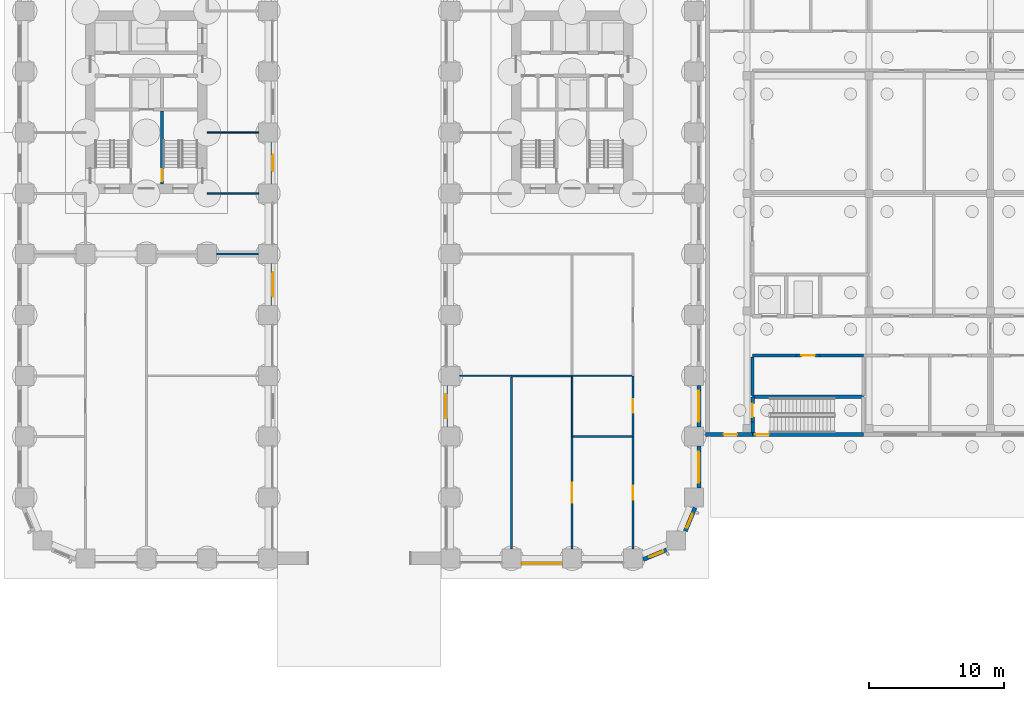
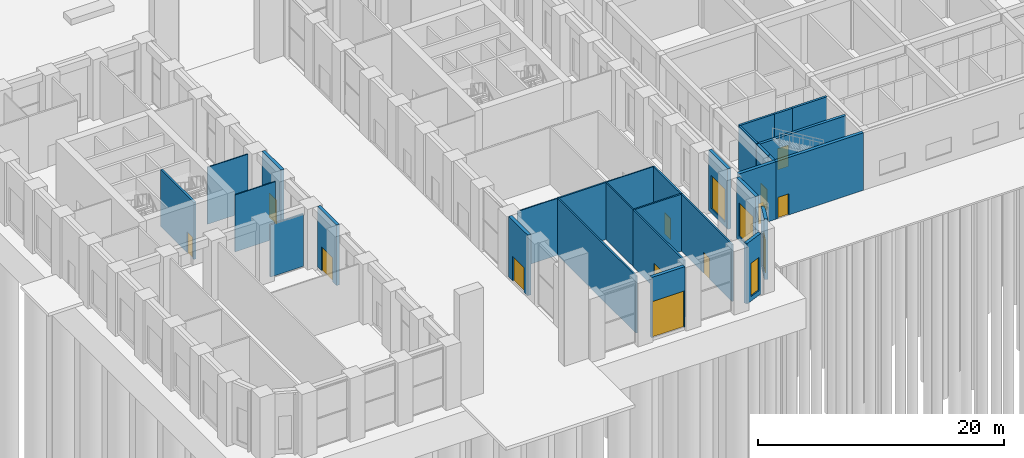
# One storey, part 15 of 31: 30 walls, 12 doors, 4 windows, 16 openings.
"""IFC4 building model written with IfcOpenShell, lengths in metres."""

from ifc_helpers import new_model, si_unit, direction, frame, frame_2d, origin, place, context, subcontext, project, spatial, rectangle, extrude, material, layer, layer_set, type_object, element, fill, save


model = new_model("IFC4")

# Units and contexts
model_context = context("Model", 3, precision=1e-05, world=origin(), true_north=direction((0.0, 1.0)))
body_context = subcontext(model_context, "Body", "Model", "MODEL_VIEW")
ifc_project = project(units=[si_unit("LENGTHUNIT", "METRE"), si_unit("AREAUNIT", "SQUARE_METRE"), si_unit("VOLUMEUNIT", "CUBIC_METRE"), si_unit("PLANEANGLEUNIT", "RADIAN"), si_unit("MASSUNIT", "GRAM", prefix="KILO")], contexts=[model_context])

# Site, building, storey
site_placement = place(None, origin())
site = spatial("IfcSite", under=ifc_project, at=site_placement, CompositionType="ELEMENT")
building_placement = place(site_placement, origin())
building = spatial("IfcBuilding", under=site, at=building_placement, Name="Girih Gate Residences", CompositionType="ELEMENT")
storey_placement = place(building_placement, origin())
storey = spatial("IfcBuildingStorey", under=building, at=storey_placement, Name="L00", CompositionType="ELEMENT", Elevation=0.0)

# Wall, opening, door
ifc_material_1 = material(Name="Gypsum board on steel studs", Category="steel")
ifc_layer_1 = layer(ifc_material_1, 0.14990234375)
ifc_layer_set_1 = layer_set([ifc_layer_1], Name="Compartment wall 150 mm")
wall_type_1 = type_object("IfcWallType", Name="Compartment wall 150 mm", PredefinedType="PARTITIONING", material=ifc_layer_set_1)
wall_1_placement = place(storey_placement, frame((40.5, 0.699951171875, 0.0), z_axis=(0.0, 0.0, 1.0), x_axis=(0.0, 1.0, 0.0)))
wall_1 = element("IfcWall", 1, at=wall_1_placement, inside=storey, type_object=wall_type_1, Name="L00 partition", PredefinedType="PARTITIONING", context=body_context, shape_type="SweptSolid", body=[
    extrude(rectangle(XDim=8.300048828125, YDim=0.14990234375, at=frame_2d((4.14990234375, 0.0))), origin(), (0.0, 0.0, 1.0), 5.64990234375),
])
opening_1_placement = place(wall_1_placement, frame((3.39990234375, 0.0, 0.0)))
opening_1 = element("IfcOpeningElement", 2, at=opening_1_placement, cuts=wall_1, Name="Opening D-L00-S-002", PredefinedType="OPENING", context=body_context, shape_type="SweptSolid", body=[
    extrude(rectangle(XDim=1.5, YDim=2.39990234375, at=frame_2d((0.75, 1.199951171875))), frame((0.0, 0.0849609375, 0.0), z_axis=(0.0, -1.0, 0.0), x_axis=(1.0, 0.0, 0.0)), (0.0, 0.0, 1.0), 0.169921875),
])
ifc_material_2 = material(Name="Painted steel, fire-resisting", Category="steel")
door_type_1 = type_object("IfcDoorType", Name="Plant room door pair 1500x2400 FD60", OperationType="DOUBLE_DOOR_SINGLE_SWING", PredefinedType="DOOR", material=ifc_material_2)
door_1_placement = place(opening_1_placement, origin())
door_1 = element("IfcDoor", 3, at=door_1_placement, inside=storey, type_object=door_type_1, Name="Door L00-002", OperationType="DOUBLE_DOOR_SINGLE_SWING", OverallHeight=2.39990234375, OverallWidth=1.5, PredefinedType="DOOR", context=body_context, shape_type="SweptSolid", body=[
    extrude(rectangle(XDim=1.5, YDim=2.39990234375, at=frame_2d((0.75, 1.199951171875))), frame((0.0, 0.02490234375, 0.0), z_axis=(0.0, -1.0, 0.0), x_axis=(1.0, 0.0, 0.0)), (0.0, 0.0, 1.0), 0.050048828125),
])
fill(opening_1, door_1)

# Wall
wall_2_placement = place(storey_placement, frame((40.574951171875, 9.0, 0.0), z_axis=(0.0, 0.0, 1.0), x_axis=(1.0, 0.0, 0.0)))
element("IfcWall", 4, at=wall_2_placement, inside=storey, type_object=wall_type_1, Name="L00 partition", PredefinedType="PARTITIONING", context=body_context, shape_type="SweptSolid", body=[
    extrude(rectangle(XDim=4.35009765625, YDim=0.14990234375, at=frame_2d((2.175048828125, 0.0))), origin(), (0.0, 0.0, 1.0), 5.64990234375),
])

# Wall, opening, door
wall_3_placement = place(storey_placement, frame((45.0, 0.699951171875, 0.0), z_axis=(0.0, 0.0, 1.0), x_axis=(0.0, 1.0, 0.0)))
wall_3 = element("IfcWall", 5, at=wall_3_placement, inside=storey, type_object=wall_type_1, Name="L00 partition", PredefinedType="PARTITIONING", context=body_context, shape_type="SweptSolid", body=[
    extrude(rectangle(XDim=8.300048828125, YDim=0.14990234375, at=frame_2d((4.14990234375, 0.0))), origin(), (0.0, 0.0, 1.0), 5.64990234375),
])
opening_2_placement = place(wall_3_placement, frame((3.64990234375, 0.0, 0.0)))
opening_2 = element("IfcOpeningElement", 6, at=opening_2_placement, cuts=wall_3, Name="Opening D-L00-S-003", PredefinedType="OPENING", context=body_context, shape_type="SweptSolid", body=[
    extrude(rectangle(XDim=1.0, YDim=2.10009765625, at=frame_2d((0.5, 1.050048828125))), frame((0.0, 0.0849609375, 0.0), z_axis=(0.0, -1.0, 0.0), x_axis=(1.0, 0.0, 0.0)), (0.0, 0.0, 1.0), 0.169921875),
])
door_type_2 = type_object("IfcDoorType", Name="Plant room door 1000x2100 FD60", OperationType="SINGLE_SWING_LEFT", PredefinedType="DOOR", material=ifc_material_2)
door_2_placement = place(opening_2_placement, origin())
door_2 = element("IfcDoor", 7, at=door_2_placement, inside=storey, type_object=door_type_2, Name="Door L00-003", OperationType="SINGLE_SWING_RIGHT", OverallHeight=2.10009765625, OverallWidth=1.0, PredefinedType="DOOR", context=body_context, shape_type="SweptSolid", body=[
    extrude(rectangle(XDim=1.0, YDim=2.10009765625, at=frame_2d((0.5, 1.050048828125))), frame((0.0, 0.02490234375, 0.0), z_axis=(0.0, -1.0, 0.0), x_axis=(1.0, 0.0, 0.0)), (0.0, 0.0, 1.0), 0.050048828125),
])
fill(opening_2, door_2)

# Walls
wall_4_placement = place(storey_placement, frame((36.0, 13.5, 0.0), z_axis=(0.0, 0.0, 1.0), x_axis=(1.0, 0.0, 0.0)))
element("IfcWall", 8, at=wall_4_placement, inside=storey, type_object=wall_type_1, Name="L00 partition", PredefinedType="PARTITIONING", context=body_context, shape_type="SweptSolid", body=[
    extrude(rectangle(XDim=4.5, YDim=0.14990234375, at=frame_2d((2.25, 0.0))), origin(), (0.0, 0.0, 1.0), 5.64990234375),
])
wall_5_placement = place(storey_placement, frame((36.0, 0.699951171875, 0.0), z_axis=(0.0, 0.0, 1.0), x_axis=(0.0, 1.0, 0.0)))
element("IfcWall", 9, at=wall_5_placement, inside=storey, type_object=wall_type_1, Name="L00 partition", PredefinedType="PARTITIONING", context=body_context, shape_type="SweptSolid", body=[
    extrude(rectangle(XDim=12.72509765625, YDim=0.14990234375, at=frame_2d((6.362548828125, 0.0))), origin(), (0.0, 0.0, 1.0), 5.64990234375),
])

# Wall, opening, door
wall_6_placement = place(storey_placement, frame((45.0, 9.0, 0.0), z_axis=(0.0, 0.0, 1.0), x_axis=(0.0, 1.0, 0.0)))
wall_6 = element("IfcWall", 10, at=wall_6_placement, inside=storey, type_object=wall_type_1, Name="L00 partition", PredefinedType="PARTITIONING", context=body_context, shape_type="SweptSolid", body=[
    extrude(rectangle(XDim=4.5, YDim=0.14990234375, at=frame_2d((2.25, 0.0))), origin(), (0.0, 0.0, 1.0), 5.64990234375),
])
opening_3_placement = place(wall_6_placement, frame((1.75, 0.0, 0.0)))
opening_3 = element("IfcOpeningElement", 11, at=opening_3_placement, cuts=wall_6, Name="Opening D-L00-S-006", PredefinedType="OPENING", context=body_context, shape_type="SweptSolid", body=[
    extrude(rectangle(XDim=1.0, YDim=2.10009765625, at=frame_2d((0.5, 1.050048828125))), frame((0.0, 0.0849609375, 0.0), z_axis=(0.0, -1.0, 0.0), x_axis=(1.0, 0.0, 0.0)), (0.0, 0.0, 1.0), 0.169921875),
])
door_3_placement = place(opening_3_placement, origin())
door_3 = element("IfcDoor", 12, at=door_3_placement, inside=storey, type_object=door_type_2, Name="Door L00-006", OperationType="SINGLE_SWING_RIGHT", OverallHeight=2.10009765625, OverallWidth=1.0, PredefinedType="DOOR", context=body_context, shape_type="SweptSolid", body=[
    extrude(rectangle(XDim=1.0, YDim=2.10009765625, at=frame_2d((0.5, 1.050048828125))), frame((0.0, 0.02490234375, 0.0), z_axis=(0.0, -1.0, 0.0), x_axis=(1.0, 0.0, 0.0)), (0.0, 0.0, 1.0), 0.050048828125),
])
fill(opening_3, door_3)

# Walls
wall_7_placement = place(storey_placement, frame((14.199951171875, 22.5, 0.0), z_axis=(0.0, 0.0, 1.0), x_axis=(1.0, 0.0, 0.0)))
element("IfcWall", 13, at=wall_7_placement, inside=storey, type_object=wall_type_1, Name="L00 partition", PredefinedType="PARTITIONING", context=body_context, shape_type="SweptSolid", body=[
    extrude(rectangle(XDim=3.10009765625, YDim=0.14990234375, at=frame_2d((1.550048828125, 0.0))), origin(), (0.0, 0.0, 1.0), 5.179931640625),
])
ifc_material_3 = material(Name="Fire-rated gypsum partition")
ifc_layer_2 = layer(ifc_material_3, 0.199951171875)
ifc_layer_set_2 = layer_set([ifc_layer_2], Name="HC Corridor wall 200 EI 60")
wall_type_2 = type_object("IfcWallType", Name="HC Corridor wall 200 EI 60", PredefinedType="PARTITIONING", material=ifc_layer_set_2)
wall_8_placement = place(storey_placement, frame((53.85009765625, 15.0, 0.0), z_axis=(0.0, 0.0, 1.0), x_axis=(1.0, 0.0, 0.0)))
element("IfcWall", 14, at=wall_8_placement, inside=storey, type_object=wall_type_2, Name="L00 wall x15.00/53.9", PredefinedType="PARTITIONING", context=body_context, shape_type="SweptSolid", body=[
    extrude(rectangle(XDim=3.25, YDim=0.199951171875, at=frame_2d((1.625, 0.0))), origin(), (0.0, 0.0, 1.0), 5.699951171875),
])

# Wall, opening, door
wall_9_placement = place(storey_placement, frame((58.800048828125, 15.0, 0.0), z_axis=(0.0, 0.0, 1.0), x_axis=(-1.0, 0.0, 0.0)))
wall_9 = element("IfcWall", 15, at=wall_9_placement, inside=storey, type_object=wall_type_2, Name="L00 wall x15.00/57.1", PredefinedType="PARTITIONING", context=body_context, shape_type="SweptSolid", body=[
    extrude(rectangle(XDim=1.699951171875, YDim=0.199951171875, at=frame_2d((0.85009765625, 0.0))), origin(), (0.0, 0.0, 1.0), 5.699951171875),
])
opening_4_placement = place(wall_9_placement, frame((0.35009765625, 0.0, 0.0)))
opening_4 = element("IfcOpeningElement", 16, at=opening_4_placement, cuts=wall_9, Name="Opening HC-L00-D09", PredefinedType="OPENING", context=body_context, shape_type="SweptSolid", body=[
    extrude(rectangle(XDim=1.0, YDim=2.10009765625, at=frame_2d((0.5, 1.050048828125))), frame((0.0, 0.10986328125, 0.0), z_axis=(0.0, -1.0, 0.0), x_axis=(1.0, 0.0, 0.0)), (0.0, 0.0, 1.0), 0.219970703125),
])
ifc_material_4 = material(Name="Timber door set", Category="wood")
door_type_3 = type_object("IfcDoorType", Name="HC Door 1000x2100 FD30S", OperationType="NOTDEFINED", PredefinedType="DOOR", material=ifc_material_4)
door_4_placement = place(opening_4_placement, origin())
door_4 = element("IfcDoor", 17, at=door_4_placement, inside=storey, type_object=door_type_3, Name="L00 Cleaners store door", OperationType="SINGLE_SWING_RIGHT", OverallHeight=2.10009765625, OverallWidth=1.0, PredefinedType="DOOR", context=body_context, shape_type="SweptSolid", body=[
    extrude(rectangle(XDim=1.0, YDim=2.10009765625, at=frame_2d((0.5, 1.050048828125))), frame((0.0, 0.02490234375, 0.0), z_axis=(0.0, -1.0, 0.0), x_axis=(1.0, 0.0, 0.0)), (0.0, 0.0, 1.0), 0.050048828125),
])
fill(opening_4, door_4)

# Walls
wall_10_placement = place(storey_placement, frame((58.800048828125, 15.0, 0.0), z_axis=(0.0, 0.0, 1.0), x_axis=(1.0, 0.0, 0.0)))
element("IfcWall", 18, at=wall_10_placement, inside=storey, type_object=wall_type_2, Name="L00 wall x15.00/58.8", PredefinedType="PARTITIONING", context=body_context, shape_type="SweptSolid", body=[
    extrude(rectangle(XDim=3.25, YDim=0.199951171875, at=frame_2d((1.625, 0.0))), origin(), (0.0, 0.0, 1.0), 5.699951171875),
])
wall_11_placement = place(storey_placement, frame((53.85009765625, 12.050048828125, 0.0), z_axis=(0.0, 0.0, 1.0), x_axis=(0.0, 1.0, 0.0)))
element("IfcWall", 19, at=wall_11_placement, inside=storey, type_object=wall_type_2, Name="L00 wall y53.85/12.1", PredefinedType="PARTITIONING", context=body_context, shape_type="SweptSolid", body=[
    extrude(rectangle(XDim=2.849853515625, YDim=0.199951171875, at=frame_2d((1.4248046875, 0.0))), origin(), (0.0, 0.0, 1.0), 5.699951171875),
])

# Wall, opening, door
ifc_material_5 = material(Name="Precast concrete C40/50", Category="concrete")
ifc_layer_3 = layer(ifc_material_5, 0.300048828125)
ifc_layer_set_3 = layer_set([ifc_layer_3], Name="HC Facade wall 300")
wall_type_3 = type_object("IfcWallType", Name="HC Facade wall 300", PredefinedType="SOLIDWALL", material=ifc_layer_set_3)
wall_12_placement = place(storey_placement, frame((53.85009765625, 9.14990234375, 0.0), z_axis=(0.0, 0.0, 1.0), x_axis=(-1.0, 0.0, 0.0)))
wall_12 = element("IfcWall", 20, at=wall_12_placement, inside=storey, type_object=wall_type_3, Name="L00 south facade wall", PredefinedType="SOLIDWALL", context=body_context, shape_type="SweptSolid", body=[
    extrude(rectangle(XDim=3.5, YDim=0.300048828125, at=frame_2d((1.75, 0.0))), origin(), (0.0, 0.0, 1.0), 5.699951171875),
])
opening_5_placement = place(wall_12_placement, frame((1.14990234375, 0.0, 0.0)))
opening_5 = element("IfcOpeningElement", 21, at=opening_5_placement, cuts=wall_12, Name="Opening HC-L00-X1", PredefinedType="OPENING", context=body_context, shape_type="SweptSolid", body=[
    extrude(rectangle(XDim=1.0, YDim=2.10009765625, at=frame_2d((0.5, 1.050048828125))), frame((0.0, 0.159912109375, 0.0), z_axis=(0.0, -1.0, 0.0), x_axis=(1.0, 0.0, 0.0)), (0.0, 0.0, 1.0), 0.320068359375),
])
ifc_material_6 = material(Name="Steel door set", Category="steel")
door_type_4 = type_object("IfcDoorType", Name="HC Exit door 1000x2100", OperationType="NOTDEFINED", PredefinedType="DOOR", material=ifc_material_6)
door_5_placement = place(opening_5_placement, origin())
door_5 = element("IfcDoor", 22, at=door_5_placement, inside=storey, type_object=door_type_4, Name="L00 south exit door 1", OperationType="SINGLE_SWING_LEFT", OverallHeight=2.10009765625, OverallWidth=1.0, PredefinedType="DOOR", context=body_context, shape_type="SweptSolid", body=[
    extrude(rectangle(XDim=1.0, YDim=2.10009765625, at=frame_2d((0.5, 1.050048828125))), frame((0.0, 0.02490234375, 0.0), z_axis=(0.0, -1.0, 0.0), x_axis=(1.0, 0.0, 0.0)), (0.0, 0.0, 1.0), 0.050048828125),
])
fill(opening_5, door_5)

# Walls
ifc_material_7 = material(Name="Concrete C40/50", Category="concrete")
ifc_layer_4 = layer(ifc_material_7, 0.25)
ifc_layer_set_4 = layer_set([ifc_layer_4], Name="HC Shaft wall 250 C40/50")
wall_type_4 = type_object("IfcWallType", Name="HC Shaft wall 250 C40/50", PredefinedType="SHEAR", material=ifc_layer_set_4)
wall_13_placement = place(storey_placement, frame((53.85009765625, 11.949951171875, 0.0), z_axis=(0.0, 0.0, 1.0), x_axis=(1.0, 0.0, 0.0)))
element("IfcWall", 23, at=wall_13_placement, inside=storey, type_object=wall_type_4, Name="L00 wall x11.95/53.9", PredefinedType="SHEAR", context=body_context, shape_type="SweptSolid", body=[
    extrude(rectangle(XDim=8.199951171875, YDim=0.25, at=frame_2d((4.10009765625, 0.0))), origin(), (0.0, 0.0, 1.0), 5.699951171875),
])
wall_14_placement = place(storey_placement, frame((53.85009765625, 9.300048828125, 0.0), z_axis=(0.0, 0.0, 1.0), x_axis=(0.0, 1.0, 0.0)))
element("IfcWall", 24, at=wall_14_placement, inside=storey, type_object=wall_type_4, Name="L00 wall y53.85/9.3", PredefinedType="SHEAR", context=body_context, shape_type="SweptSolid", body=[
    extrude(rectangle(XDim=0.800048828125, YDim=0.25, at=frame_2d((0.39990234375, 0.0))), origin(), (0.0, 0.0, 1.0), 5.699951171875),
])

# Wall, opening, door
wall_15_placement = place(storey_placement, frame((53.85009765625, 10.10009765625, 0.0), z_axis=(0.0, 0.0, 1.0), x_axis=(0.0, 1.0, 0.0)))
wall_15 = element("IfcWall", 25, at=wall_15_placement, inside=storey, type_object=wall_type_4, Name="L00 wall y53.85/10.1", PredefinedType="SHEAR", context=body_context, shape_type="SweptSolid", body=[
    extrude(rectangle(XDim=1.849853515625, YDim=0.25, at=frame_2d((0.9248046875, 0.0))), origin(), (0.0, 0.0, 1.0), 5.699951171875),
])
opening_6_placement = place(wall_15_placement, frame((0.35009765625, 0.0, 0.0)))
opening_6 = element("IfcOpeningElement", 26, at=opening_6_placement, cuts=wall_15, Name="Opening HC-L00-D01", PredefinedType="OPENING", context=body_context, shape_type="SweptSolid", body=[
    extrude(rectangle(XDim=1.0, YDim=2.10009765625, at=frame_2d((0.5, 1.050048828125))), frame((0.0, 0.135009765625, 0.0), z_axis=(0.0, -1.0, 0.0), x_axis=(1.0, 0.0, 0.0)), (0.0, 0.0, 1.0), 0.27001953125),
])
door_type_5 = type_object("IfcDoorType", Name="HC Stair door 1000x2100 FD60", OperationType="NOTDEFINED", PredefinedType="DOOR", material=ifc_material_6)
door_6_placement = place(opening_6_placement, origin())
door_6 = element("IfcDoor", 27, at=door_6_placement, inside=storey, type_object=door_type_5, Name="L00 Stair A door", OperationType="SINGLE_SWING_LEFT", OverallHeight=2.10009765625, OverallWidth=1.0, PredefinedType="DOOR", context=body_context, shape_type="SweptSolid", body=[
    extrude(rectangle(XDim=1.0, YDim=2.10009765625, at=frame_2d((0.5, 1.050048828125))), frame((0.0, 0.02490234375, 0.0), z_axis=(0.0, -1.0, 0.0), x_axis=(1.0, 0.0, 0.0)), (0.0, 0.0, 1.0), 0.050048828125),
])
fill(opening_6, door_6)

ifc_layer_5 = layer(ifc_material_5, 0.300048828125)
ifc_layer_set_5 = layer_set([ifc_layer_5], Name="HC Stair shaft facade wall 300")
wall_type_5 = type_object("IfcWallType", Name="HC Stair shaft facade wall 300", PredefinedType="SHEAR", material=ifc_layer_set_5)
wall_16_placement = place(storey_placement, frame((62.050048828125, 9.14990234375, 0.0), z_axis=(0.0, 0.0, 1.0), x_axis=(-1.0, 0.0, 0.0)))
wall_16 = element("IfcWall", 28, at=wall_16_placement, inside=storey, type_object=wall_type_5, Name="L00 south facade wall over stair A", PredefinedType="SHEAR", context=body_context, shape_type="SweptSolid", body=[
    extrude(rectangle(XDim=8.199951171875, YDim=0.300048828125, at=frame_2d((4.10009765625, 0.0))), origin(), (0.0, 0.0, 1.0), 5.699951171875),
])
opening_7_placement = place(wall_16_placement, frame((7.0, 0.0, 0.0)))
opening_7 = element("IfcOpeningElement", 29, at=opening_7_placement, cuts=wall_16, Name="Opening HC-L00-X2", PredefinedType="OPENING", context=body_context, shape_type="SweptSolid", body=[
    extrude(rectangle(XDim=1.0, YDim=2.10009765625, at=frame_2d((0.5, 1.050048828125))), frame((0.0, 0.159912109375, 0.0), z_axis=(0.0, -1.0, 0.0), x_axis=(1.0, 0.0, 0.0)), (0.0, 0.0, 1.0), 0.320068359375),
])
door_7_placement = place(opening_7_placement, origin())
door_7 = element("IfcDoor", 30, at=door_7_placement, inside=storey, type_object=door_type_4, Name="L00 south exit door 2", OperationType="SINGLE_SWING_RIGHT", OverallHeight=2.10009765625, OverallWidth=1.0, PredefinedType="DOOR", context=body_context, shape_type="SweptSolid", body=[
    extrude(rectangle(XDim=1.0, YDim=2.10009765625, at=frame_2d((0.5, 1.050048828125))), frame((0.0, 0.02490234375, 0.0), z_axis=(0.0, -1.0, 0.0), x_axis=(1.0, 0.0, 0.0)), (0.0, 0.0, 1.0), 0.050048828125),
])
fill(opening_7, door_7)

# Walls
ifc_layer_6 = layer(ifc_material_1, 0.10009765625)
ifc_layer_set_6 = layer_set([ifc_layer_6], Name="Partition 100 mm")
wall_type_6 = type_object("IfcWallType", Name="Partition 100 mm", PredefinedType="PARTITIONING", material=ifc_layer_set_6)
for number, where, z_axis, x_axis, name in (
    (31, (40.5, 9.0, 0.0), (0.0, 0.0, 1.0), (0.0, 1.0, 0.0), "L00 partition"),
    (32, (40.5, 13.5, 0.0), (0.0, 0.0, 1.0), (1.0, 0.0, 0.0), "L00 partition"),
):
    element("IfcWall", number, at=place(storey_placement, frame(where, z_axis=z_axis, x_axis=x_axis)), inside=storey, type_object=wall_type_6, Name=name, PredefinedType="PARTITIONING", context=body_context, shape_type="SweptSolid", body=[
        extrude(rectangle(XDim=4.425048828125, YDim=0.10009765625, at=frame_2d((2.21240234375, 0.0))), origin(), (0.0, 0.0, 1.0), 5.64990234375),
    ])
for number, where, z_axis, x_axis, name in (
    (33, (32.199951171875, 13.5, 0.0), (0.0, 0.0, 1.0), (1.0, 0.0, 0.0), "L00 partition"),
    (34, (13.5, 27.0, 0.0), (0.0, 0.0, 1.0), (1.0, 0.0, 0.0), "L00 partition"),
    (35, (13.5, 31.5, 0.0), (0.0, 0.0, 1.0), (1.0, 0.0, 0.0), "L00 partition"),
):
    element("IfcWall", number, at=place(storey_placement, frame(where, z_axis=z_axis, x_axis=x_axis)), inside=storey, type_object=wall_type_6, Name=name, PredefinedType="PARTITIONING", context=body_context, shape_type="SweptSolid", body=[
        extrude(rectangle(XDim=3.800048828125, YDim=0.10009765625, at=frame_2d((1.89990234375, 0.0))), origin(), (0.0, 0.0, 1.0), 5.64990234375),
    ])

# Wall, opening, door
ifc_material_8 = material(Name="Precast concrete C50/60", Category="concrete")
ifc_layer_7 = layer(ifc_material_8, 0.080078125, Name="Outer leaf")
ifc_material_9 = material(Name="Rigid PIR insulation")
ifc_layer_8 = layer(ifc_material_9, 0.14990234375, Name="Insulation")
ifc_layer_9 = layer(ifc_material_5, 0.070068359375, Name="Inner leaf")
ifc_layer_set_7 = layer_set([ifc_layer_7, ifc_layer_8, ifc_layer_9], Name="Precast concrete C50/60 external wall 300")
wall_type_7 = type_object("IfcWallType", Name="Precast concrete C50/60 external wall 300", PredefinedType="SOLIDWALL", material=ifc_layer_set_7)
wall_17_placement = place(storey_placement, frame((18.375, 21.800048828125, 0.0), z_axis=(0.0, 0.0, 1.0), x_axis=(0.0, -1.0, 0.0)))
wall_17 = element("IfcWall", 36, at=wall_17_placement, inside=storey, type_object=wall_type_7, Name="External wall E0180_0000.4", PredefinedType="SOLIDWALL", context=body_context, shape_type="SweptSolid", body=[
    extrude(rectangle(XDim=3.10009765625, YDim=0.300048828125, at=frame_2d((1.550048828125, 0.0))), origin(), (0.0, 0.0, 1.0), 6.0),
])
opening_8_placement = place(wall_17_placement, frame((0.64990234375, 0.0, 0.0)))
opening_8 = element("IfcOpeningElement", 37, at=opening_8_placement, cuts=wall_17, Name="Opening ED-1", PredefinedType="OPENING", context=body_context, shape_type="SweptSolid", body=[
    extrude(rectangle(XDim=1.800048828125, YDim=2.39990234375, at=frame_2d((0.89990234375, 1.199951171875))), frame((0.0, 0.159912109375, 0.0), z_axis=(0.0, -1.0, 0.0), x_axis=(1.0, 0.0, 0.0)), (0.0, 0.0, 1.0), 0.320068359375),
])
ifc_material_10 = material(Name="Aluminium and glass entrance door", Category="aluminium")
door_type_6 = type_object("IfcDoorType", Name="Entrance door pair 1800x2400", OperationType="DOUBLE_DOOR_SINGLE_SWING", PredefinedType="DOOR", material=ifc_material_10)
door_8_placement = place(opening_8_placement, origin())
door_8 = element("IfcDoor", 38, at=door_8_placement, inside=storey, type_object=door_type_6, Name="Shop entrance E0180_0000.4", OperationType="SINGLE_SWING_LEFT", OverallHeight=2.39990234375, OverallWidth=1.800048828125, PredefinedType="DOOR", context=body_context, shape_type="SweptSolid", body=[
    extrude(rectangle(XDim=1.800048828125, YDim=2.39990234375, at=frame_2d((0.89990234375, 1.199951171875))), frame((0.0, 0.02490234375, 0.0), z_axis=(0.0, -1.0, 0.0), x_axis=(1.0, 0.0, 0.0)), (0.0, 0.0, 1.0), 0.050048828125),
])
fill(opening_8, door_8)

wall_18_placement = place(storey_placement, frame((18.375, 30.800048828125, 0.0), z_axis=(0.0, 0.0, 1.0), x_axis=(0.0, -1.0, 0.0)))
wall_18 = element("IfcWall", 39, at=wall_18_placement, inside=storey, type_object=wall_type_7, Name="External wall E0180_0000.6", PredefinedType="SOLIDWALL", context=body_context, shape_type="SweptSolid", body=[
    extrude(rectangle(XDim=3.10009765625, YDim=0.300048828125, at=frame_2d((1.550048828125, 0.0))), origin(), (0.0, 0.0, 1.0), 6.0),
])
opening_9_placement = place(wall_18_placement, frame((0.949951171875, 0.0, 0.0)))
opening_9 = element("IfcOpeningElement", 40, at=opening_9_placement, cuts=wall_18, Name="Opening XD-1", PredefinedType="OPENING", context=body_context, shape_type="SweptSolid", body=[
    extrude(rectangle(XDim=1.199951171875, YDim=2.39990234375, at=frame_2d((0.60009765625, 1.199951171875))), frame((0.0, 0.159912109375, 0.0), z_axis=(0.0, -1.0, 0.0), x_axis=(1.0, 0.0, 0.0)), (0.0, 0.0, 1.0), 0.320068359375),
])
ifc_material_11 = material(Name="Steel fire door", Category="steel")
door_type_7 = type_object("IfcDoorType", Name="Stair exit door 1200x2400", OperationType="NOTDEFINED", PredefinedType="DOOR", material=ifc_material_11)
door_9_placement = place(opening_9_placement, origin())
door_9 = element("IfcDoor", 41, at=door_9_placement, inside=storey, type_object=door_type_7, Name="Stair exit door E0180_0000.6", OperationType="SINGLE_SWING_LEFT", OverallHeight=2.39990234375, OverallWidth=1.199951171875, PredefinedType="DOOR", context=body_context, shape_type="SweptSolid", body=[
    extrude(rectangle(XDim=1.199951171875, YDim=2.39990234375, at=frame_2d((0.60009765625, 1.199951171875))), frame((0.0, 0.02490234375, 0.0), z_axis=(0.0, -1.0, 0.0), x_axis=(1.0, 0.0, 0.0)), (0.0, 0.0, 1.0), 0.050048828125),
])
fill(opening_9, door_9)

wall_19_placement = place(storey_placement, frame((39.800048828125, -0.375, 0.0), z_axis=(0.0, 0.0, 1.0), x_axis=(-1.0, 0.0, 0.0)))
wall_19 = element("IfcWall", 42, at=wall_19_placement, inside=storey, type_object=wall_type_7, Name="External wall S0315_0000.1", PredefinedType="SOLIDWALL", context=body_context, shape_type="SweptSolid", body=[
    extrude(rectangle(XDim=3.10009765625, YDim=0.300048828125, at=frame_2d((1.550048828125, 0.0))), origin(), (0.0, 0.0, 1.0), 6.0),
])
opening_10_placement = place(wall_19_placement, frame((0.050048828125, 0.0, 0.0)))
opening_10 = element("IfcOpeningElement", 43, at=opening_10_placement, cuts=wall_19, Name="Opening GD-1", PredefinedType="OPENING", context=body_context, shape_type="SweptSolid", body=[
    extrude(rectangle(XDim=3.0, YDim=3.60009765625, at=frame_2d((1.5, 1.800048828125))), frame((0.0, 0.159912109375, 0.0), z_axis=(0.0, -1.0, 0.0), x_axis=(1.0, 0.0, 0.0)), (0.0, 0.0, 1.0), 0.320068359375),
])
ifc_material_12 = material(Name="Galvanised steel roller shutter", Category="steel")
door_type_8 = type_object("IfcDoorType", Name="Service yard roller shutter 3000x3600", OperationType="ROLLINGUP", PredefinedType="GATE", material=ifc_material_12)
door_10_placement = place(opening_10_placement, origin())
door_10 = element("IfcDoor", 44, at=door_10_placement, inside=storey, type_object=door_type_8, Name="Service yard shutter S0315_0000.1", OperationType="SINGLE_SWING_LEFT", OverallHeight=3.60009765625, OverallWidth=3.0, PredefinedType="GATE", context=body_context, shape_type="SweptSolid", body=[
    extrude(rectangle(XDim=3.0, YDim=3.60009765625, at=frame_2d((1.5, 1.800048828125))), frame((0.0, 0.02490234375, 0.0), z_axis=(0.0, -1.0, 0.0), x_axis=(1.0, 0.0, 0.0)), (0.0, 0.0, 1.0), 0.050048828125),
])
fill(opening_10, door_10)

# Wall, opening, window
wall_20_placement = place(storey_placement, frame((47.48046875, 0.62158203125, 0.0), z_axis=(0.0, 0.0, 1.0), x_axis=(-0.923903565336, -0.38262540684, 0.0)))
wall_20 = element("IfcWall", 45, at=wall_20_placement, inside=storey, type_object=wall_type_7, Name="External wall SE0450_0000.0", PredefinedType="SOLIDWALL", context=body_context, shape_type="SweptSolid", body=[
    extrude(rectangle(XDim=1.864990234375, YDim=0.300048828125, at=frame_2d((0.9326171875, 0.0))), origin(), (0.0, 0.0, 1.0), 6.0),
])
opening_11_placement = place(wall_20_placement, frame((0.257568359375, 0.0, 0.449951171875)))
opening_11 = element("IfcOpeningElement", 46, at=opening_11_placement, cuts=wall_20, Name="Opening W-2A", PredefinedType="OPENING", context=body_context, shape_type="SweptSolid", body=[
    extrude(rectangle(XDim=1.10009765625, YDim=3.300048828125, at=frame_2d((0.550048828125, 1.64990234375))), frame((0.0, 0.159912109375, 0.0), z_axis=(0.0, -1.0, 0.0), x_axis=(1.0, 0.0, 0.0)), (0.0, 0.0, 1.0), 0.320068359375),
])
ifc_material_13 = material(Name="Double glazing in aluminium frame", Category="aluminium")
window_type_1 = type_object("IfcWindowType", Name="Window W-2A 1100x3300", PartitioningType="SINGLE_PANEL", PredefinedType="WINDOW", material=ifc_material_13)
window_1_placement = place(opening_11_placement, origin())
window_1 = element("IfcWindow", 47, at=window_1_placement, inside=storey, type_object=window_type_1, Name="Window W-2A SE0450_0000.0", OverallHeight=3.300048828125, OverallWidth=1.10009765625, PartitioningType="SINGLE_PANEL", PredefinedType="WINDOW", context=body_context, shape_type="SweptSolid", body=[
    extrude(rectangle(XDim=1.10009765625, YDim=3.300048828125, at=frame_2d((0.550048828125, 1.64990234375))), frame((0.0, 0.030029296875, 0.0), z_axis=(0.0, -1.0, 0.0), x_axis=(1.0, 0.0, 0.0)), (0.0, 0.0, 1.0), 0.06005859375),
])
fill(opening_11, window_1)

wall_21_placement = place(storey_placement, frame((49.59228515625, 3.74267578125, 0.0), z_axis=(0.0, 0.0, 1.0), x_axis=(-0.382737135771, -0.923857286003, 0.0)))
wall_21 = element("IfcWall", 48, at=wall_21_placement, inside=storey, type_object=wall_type_7, Name="External wall SE0482_0013.0", PredefinedType="SOLIDWALL", context=body_context, shape_type="SweptSolid", body=[
    extrude(rectangle(XDim=1.865234375, YDim=0.300048828125, at=frame_2d((0.9326171875, 0.0))), origin(), (0.0, 0.0, 1.0), 6.0),
])
opening_12_placement = place(wall_21_placement, frame((0.507568359375, 0.0, 0.449951171875)))
opening_12 = element("IfcOpeningElement", 49, at=opening_12_placement, cuts=wall_21, Name="Opening W-2A", PredefinedType="OPENING", context=body_context, shape_type="SweptSolid", body=[
    extrude(rectangle(XDim=1.10009765625, YDim=3.300048828125, at=frame_2d((0.550048828125, 1.64990234375))), frame((0.0, 0.159912109375, 0.0), z_axis=(0.0, -1.0, 0.0), x_axis=(1.0, 0.0, 0.0)), (0.0, 0.0, 1.0), 0.320068359375),
])
window_2_placement = place(opening_12_placement, origin())
window_2 = element("IfcWindow", 50, at=window_2_placement, inside=storey, type_object=window_type_1, Name="Window W-2A SE0482_0013.0", OverallHeight=3.300048828125, OverallWidth=1.10009765625, PartitioningType="SINGLE_PANEL", PredefinedType="WINDOW", context=body_context, shape_type="SweptSolid", body=[
    extrude(rectangle(XDim=1.10009765625, YDim=3.300048828125, at=frame_2d((0.550048828125, 1.64990234375))), frame((0.0, 0.030029296875, 0.0), z_axis=(0.0, -1.0, 0.0), x_axis=(1.0, 0.0, 0.0)), (0.0, 0.0, 1.0), 0.06005859375),
])
fill(opening_12, window_2)

wall_22_placement = place(storey_placement, frame((49.875, 8.300048828125, 0.0), z_axis=(0.0, 0.0, 1.0), x_axis=(0.0, -1.0, 0.0)))
wall_22 = element("IfcWall", 51, at=wall_22_placement, inside=storey, type_object=wall_type_7, Name="External wall E0495_0045.0", PredefinedType="SOLIDWALL", context=body_context, shape_type="SweptSolid", body=[
    extrude(rectangle(XDim=3.10009765625, YDim=0.300048828125, at=frame_2d((1.550048828125, 0.0))), origin(), (0.0, 0.0, 1.0), 6.0),
])
opening_13_placement = place(wall_22_placement, frame((0.39990234375, 0.0, 0.449951171875)))
opening_13 = element("IfcOpeningElement", 52, at=opening_13_placement, cuts=wall_22, Name="Opening W-3", PredefinedType="OPENING", context=body_context, shape_type="SweptSolid", body=[
    extrude(rectangle(XDim=2.300048828125, YDim=3.300048828125, at=frame_2d((1.14990234375, 1.64990234375))), frame((0.0, 0.159912109375, 0.0), z_axis=(0.0, -1.0, 0.0), x_axis=(1.0, 0.0, 0.0)), (0.0, 0.0, 1.0), 0.320068359375),
])
window_type_2 = type_object("IfcWindowType", Name="Window W-3 2300x3300", PartitioningType="SINGLE_PANEL", PredefinedType="WINDOW", material=ifc_material_13)
window_3_placement = place(opening_13_placement, origin())
window_3 = element("IfcWindow", 53, at=window_3_placement, inside=storey, type_object=window_type_2, Name="Window W-3 E0495_0045.0", OverallHeight=3.300048828125, OverallWidth=2.300048828125, PartitioningType="SINGLE_PANEL", PredefinedType="WINDOW", context=body_context, shape_type="SweptSolid", body=[
    extrude(rectangle(XDim=2.300048828125, YDim=3.300048828125, at=frame_2d((1.14990234375, 1.64990234375))), frame((0.0, 0.030029296875, 0.0), z_axis=(0.0, -1.0, 0.0), x_axis=(1.0, 0.0, 0.0)), (0.0, 0.0, 1.0), 0.06005859375),
])
fill(opening_13, window_3)

wall_23_placement = place(storey_placement, frame((49.875, 12.800048828125, 0.0), z_axis=(0.0, 0.0, 1.0), x_axis=(0.0, -1.0, 0.0)))
wall_23 = element("IfcWall", 54, at=wall_23_placement, inside=storey, type_object=wall_type_7, Name="External wall E0495_0045.1", PredefinedType="SOLIDWALL", context=body_context, shape_type="SweptSolid", body=[
    extrude(rectangle(XDim=3.10009765625, YDim=0.300048828125, at=frame_2d((1.550048828125, 0.0))), origin(), (0.0, 0.0, 1.0), 6.0),
])
opening_14_placement = place(wall_23_placement, frame((0.39990234375, 0.0, 0.449951171875)))
opening_14 = element("IfcOpeningElement", 55, at=opening_14_placement, cuts=wall_23, Name="Opening W-3", PredefinedType="OPENING", context=body_context, shape_type="SweptSolid", body=[
    extrude(rectangle(XDim=2.300048828125, YDim=3.300048828125, at=frame_2d((1.14990234375, 1.64990234375))), frame((0.0, 0.159912109375, 0.0), z_axis=(0.0, -1.0, 0.0), x_axis=(1.0, 0.0, 0.0)), (0.0, 0.0, 1.0), 0.320068359375),
])
window_4_placement = place(opening_14_placement, origin())
window_4 = element("IfcWindow", 56, at=window_4_placement, inside=storey, type_object=window_type_2, Name="Window W-3 E0495_0045.1", OverallHeight=3.300048828125, OverallWidth=2.300048828125, PartitioningType="SINGLE_PANEL", PredefinedType="WINDOW", context=body_context, shape_type="SweptSolid", body=[
    extrude(rectangle(XDim=2.300048828125, YDim=3.300048828125, at=frame_2d((1.14990234375, 1.64990234375))), frame((0.0, 0.030029296875, 0.0), z_axis=(0.0, -1.0, 0.0), x_axis=(1.0, 0.0, 0.0)), (0.0, 0.0, 1.0), 0.06005859375),
])
fill(opening_14, window_4)

# Wall, opening, door
wall_24_placement = place(storey_placement, frame((31.125, 9.699951171875, 0.0), z_axis=(0.0, 0.0, 1.0), x_axis=(0.0, 1.0, 0.0)))
wall_24 = element("IfcWall", 57, at=wall_24_placement, inside=storey, type_object=wall_type_7, Name="External wall W0315_0495.8", PredefinedType="SOLIDWALL", context=body_context, shape_type="SweptSolid", body=[
    extrude(rectangle(XDim=3.10009765625, YDim=0.300048828125, at=frame_2d((1.550048828125, 0.0))), origin(), (0.0, 0.0, 1.0), 6.0),
])
opening_15_placement = place(wall_24_placement, frame((0.64990234375, 0.0, 0.0)))
opening_15 = element("IfcOpeningElement", 58, at=opening_15_placement, cuts=wall_24, Name="Opening ED-1", PredefinedType="OPENING", context=body_context, shape_type="SweptSolid", body=[
    extrude(rectangle(XDim=1.800048828125, YDim=2.39990234375, at=frame_2d((0.89990234375, 1.199951171875))), frame((0.0, 0.159912109375, 0.0), z_axis=(0.0, -1.0, 0.0), x_axis=(1.0, 0.0, 0.0)), (0.0, 0.0, 1.0), 0.320068359375),
])
door_11_placement = place(opening_15_placement, origin())
door_11 = element("IfcDoor", 59, at=door_11_placement, inside=storey, type_object=door_type_6, Name="Shop entrance W0315_0495.8", OperationType="SINGLE_SWING_LEFT", OverallHeight=2.39990234375, OverallWidth=1.800048828125, PredefinedType="DOOR", context=body_context, shape_type="SweptSolid", body=[
    extrude(rectangle(XDim=1.800048828125, YDim=2.39990234375, at=frame_2d((0.89990234375, 1.199951171875))), frame((0.0, 0.02490234375, 0.0), z_axis=(0.0, -1.0, 0.0), x_axis=(1.0, 0.0, 0.0)), (0.0, 0.0, 1.0), 0.050048828125),
])
fill(opening_15, door_11)

ifc_layer_10 = layer(ifc_material_7, 0.199951171875)
ifc_layer_set_8 = layer_set([ifc_layer_10], Name="Shaft wall 200")
wall_type_8 = type_object("IfcWallType", Name="Shaft wall 200", PredefinedType="SOLIDWALL", material=ifc_layer_set_8)
wall_25_placement = place(storey_placement, frame((10.14990234375, 27.699951171875, 0.0), z_axis=(0.0, 0.0, 1.0), x_axis=(0.0, 1.0, 0.0)))
wall_25 = element("IfcWall", 60, at=wall_25_placement, inside=storey, type_object=wall_type_8, Name="L00 W core wall V2a", PredefinedType="SOLIDWALL", context=body_context, shape_type="SweptSolid", body=[
    extrude(rectangle(XDim=5.400146484375, YDim=0.199951171875, at=frame_2d((2.7001953125, 0.0))), origin(), (0.0, 0.0, 1.0), 5.64990234375),
])
opening_16_placement = place(wall_25_placement, frame((0.199951171875, 0.0, 0.0)))
opening_16 = element("IfcOpeningElement", 61, at=opening_16_placement, cuts=wall_25, Name="Opening D-L00-W-002", PredefinedType="OPENING", context=body_context, shape_type="SweptSolid", body=[
    extrude(rectangle(XDim=0.89990234375, YDim=2.10009765625, at=frame_2d((0.449951171875, 1.050048828125))), frame((0.0, 0.10986328125, 0.0), z_axis=(0.0, -1.0, 0.0), x_axis=(1.0, 0.0, 0.0)), (0.0, 0.0, 1.0), 0.219970703125),
])
door_type_9 = type_object("IfcDoorType", Name="Fire door 900x2100", OperationType="SINGLE_SWING_LEFT", PredefinedType="DOOR", material=ifc_material_2)
door_12_placement = place(opening_16_placement, origin())
door_12 = element("IfcDoor", 62, at=door_12_placement, inside=storey, type_object=door_type_9, Name="L00 W door stair 2 to firefighting lobby", OperationType="SINGLE_SWING_LEFT", OverallHeight=2.10009765625, OverallWidth=0.89990234375, PredefinedType="DOOR", context=body_context, shape_type="SweptSolid", body=[
    extrude(rectangle(XDim=0.89990234375, YDim=2.10009765625, at=frame_2d((0.449951171875, 1.050048828125))), frame((0.0, 0.02490234375, 0.0), z_axis=(0.0, -1.0, 0.0), x_axis=(1.0, 0.0, 0.0)), (0.0, 0.0, 1.0), 0.050048828125),
])
fill(opening_16, door_12)

save(model, "model.ifc")
